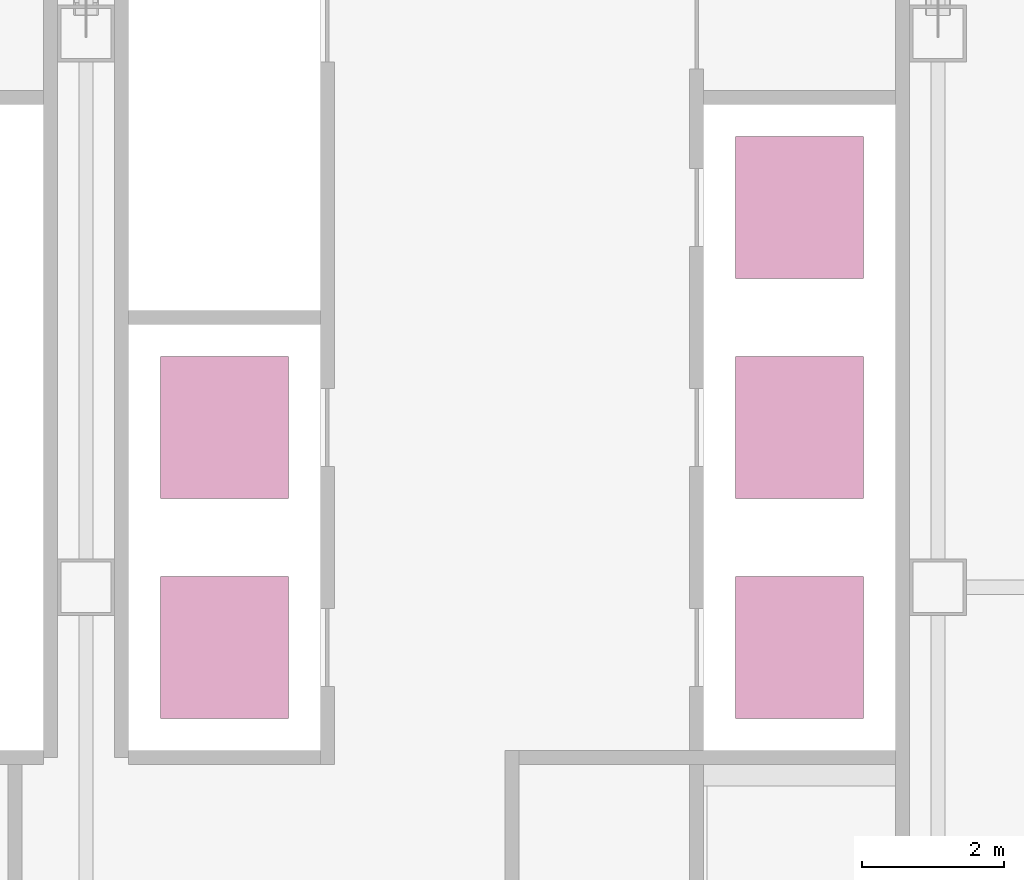
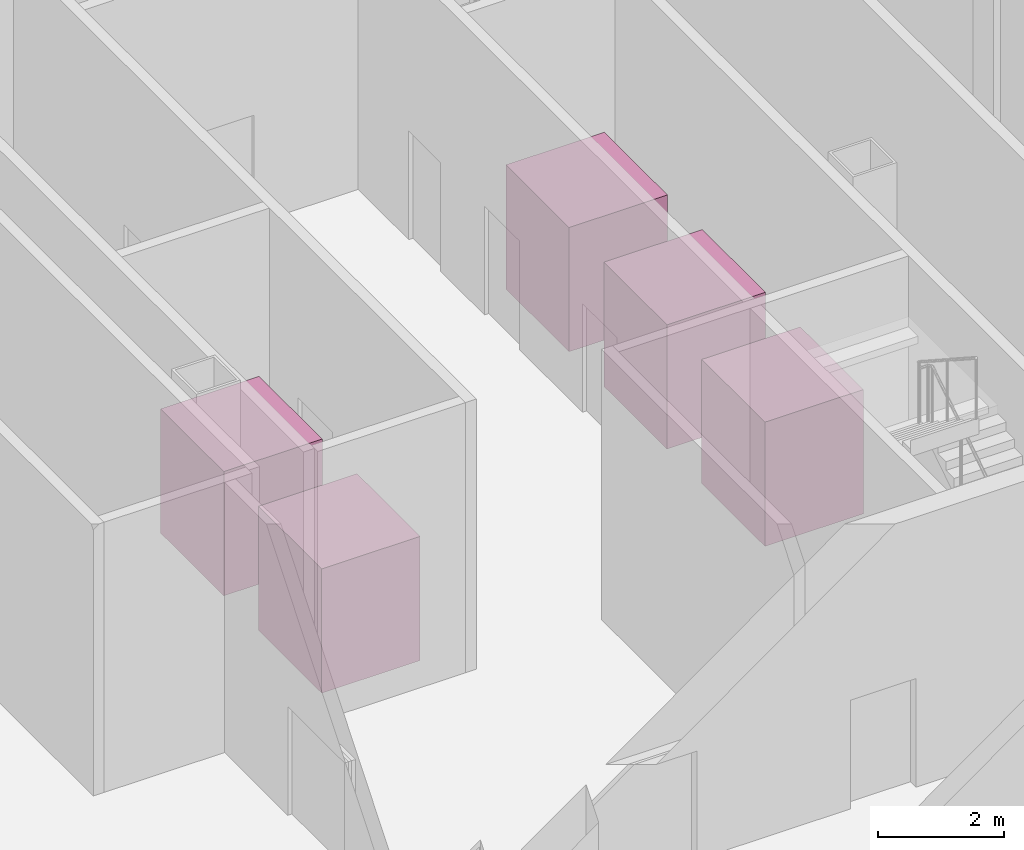
# One storey, part 24 of 24: 5 transport elements.
"""IFC4 building model written with IfcOpenShell, lengths in metres."""

from ifc_helpers import new_model, si_unit, direction, frame, origin, origin_2d, place, context, subcontext, project, spatial, rectangle, extrude, material, type_object, element, save


model = new_model("IFC4")

# Units and contexts
model_context = context("Model", 3, precision=1e-05, world=origin(), true_north=direction((0.0, 1.0)))
body_context = subcontext(model_context, "Body", "Model", "MODEL_VIEW")
ifc_project = project(units=[si_unit("LENGTHUNIT", "METRE"), si_unit("AREAUNIT", "SQUARE_METRE"), si_unit("VOLUMEUNIT", "CUBIC_METRE"), si_unit("PLANEANGLEUNIT", "RADIAN"), si_unit("MASSUNIT", "GRAM", prefix="KILO")], contexts=[model_context])

# Site, building, storey
site_placement = place(None, origin())
site = spatial("IfcSite", under=ifc_project, at=site_placement, CompositionType="ELEMENT")
building_placement = place(site_placement, origin())
building = spatial("IfcBuilding", under=site, at=building_placement, Name="Sorahane Residences", CompositionType="ELEMENT")
storey_placement = place(building_placement, frame((0.0, 0.0, 161.800048828125)))
storey = spatial("IfcBuildingStorey", under=building, at=storey_placement, Name="L37", CompositionType="ELEMENT", Elevation=161.800048828125)

# Transport elements
ifc_material = material(Name="Stainless steel and glass", Category="steel")
transport_element_type = type_object("IfcTransportElementType", Name="High-rise lift 1600 kg 2000x1800", PredefinedType="ELEVATOR", material=ifc_material)
for number, where, z_axis, x_axis, name in (
    (1, (40.050048828125, 29.14990234375, 0.0), (0.0, 0.0, 1.0), (1.0, 0.0, 0.0), "High-rise lift HR1"),
    (2, (40.050048828125, 32.25, 0.0), (0.0, 0.0, 1.0), (1.0, 0.0, 0.0), "High-rise lift HR2"),
    (3, (40.050048828125, 35.35009765625, 0.0), (0.0, 0.0, 1.0), (1.0, 0.0, 0.0), "High-rise lift HR3"),
    (4, (31.949951171875, 29.14990234375, 0.0), (0.0, 0.0, 1.0), (1.0, 0.0, 0.0), "High-rise lift HR4"),
    (5, (31.949951171875, 32.25, 0.0), (0.0, 0.0, 1.0), (1.0, 0.0, 0.0), "High-rise lift HR5"),
):
    element("IfcTransportElement", number, at=place(storey_placement, frame(where, z_axis=z_axis, x_axis=x_axis)), inside=storey, type_object=transport_element_type, Name=name, PredefinedType="ELEVATOR", context=body_context, shape_type="SweptSolid", body=[
        extrude(rectangle(XDim=1.800048828125, YDim=2.0, at=origin_2d()), origin(), (0.0, 0.0, 1.0), 2.39990234375),
    ])

save(model, "model.ifc")
